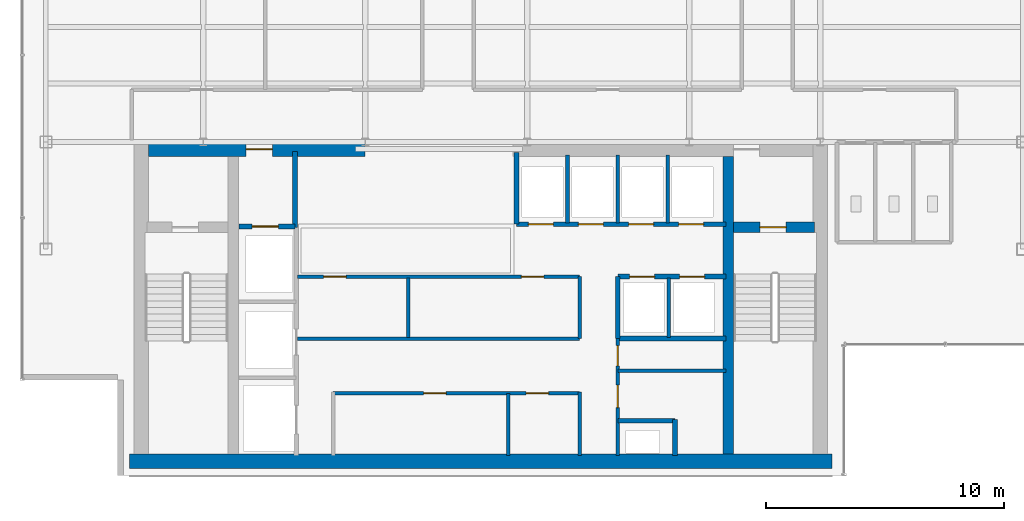
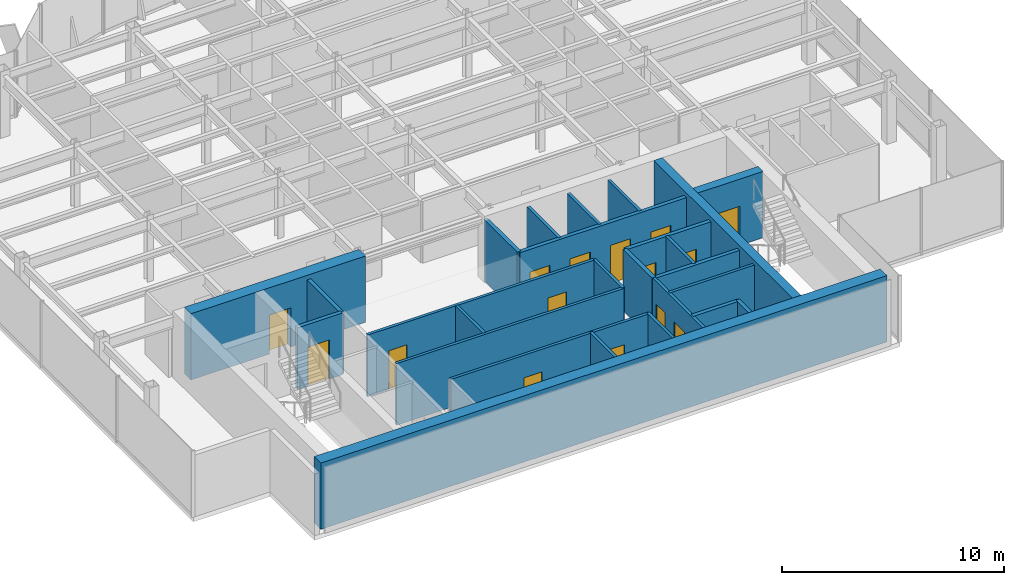
# One storey, part 17 of 22: 26 walls, 15 doors, 15 openings.
"""IFC4 building model written with IfcOpenShell, lengths in metres."""

from ifc_helpers import new_model, si_unit, derived_unit, direction, frame, frame_2d, origin, place, context, subcontext, project, spatial, rectangle, extrude, source, transform, mapped, material, layer, layer_set, type_object, element, fill, save


model = new_model("IFC4")

# Units and contexts
model_context = context("Model", 3, precision=1e-05, world=origin(), true_north=direction((0.0, 1.0)))
body_context = subcontext(model_context, "Body", "Model", "MODEL_VIEW")
ifc_project = project(units=[si_unit("LENGTHUNIT", "METRE"), si_unit("AREAUNIT", "SQUARE_METRE"), si_unit("VOLUMEUNIT", "CUBIC_METRE"), si_unit("PLANEANGLEUNIT", "RADIAN"), si_unit("MASSUNIT", "GRAM", prefix="KILO"), derived_unit("THERMALTRANSMITTANCEUNIT", [(si_unit("POWERUNIT", "WATT"), 1), (si_unit("LENGTHUNIT", "METRE"), -2), (si_unit("THERMODYNAMICTEMPERATUREUNIT", "KELVIN"), -1)])], contexts=[model_context])

# Site, building, storey
site_placement = place(None, origin())
site = spatial("IfcSite", under=ifc_project, at=site_placement, CompositionType="ELEMENT")
building_placement = place(site_placement, origin())
building = spatial("IfcBuilding", under=site, at=building_placement, Name="Skarnbrae Concourse Arena and Tower", CompositionType="ELEMENT")
storey_placement = place(building_placement, frame((0.0, 0.0, 247.85009765625)))
storey = spatial("IfcBuildingStorey", under=building, at=storey_placement, Name="L64", CompositionType="ELEMENT", Elevation=247.85009765625)

# Wall, opening, door
ifc_material_1 = material(Name="Concrete 50 MPa (C50/60)", Category="concrete")
ifc_layer_1 = layer(ifc_material_1, 0.449951171875)
ifc_layer_set_1 = layer_set([ifc_layer_1], Name="Concrete 50 MPa (C50/60)")
wall_type_1 = type_object("IfcWallType", Name="WALL-CORE-450-C50", PredefinedType="SHEAR", material=ifc_layer_set_1)
shared_shape_1 = source(origin(), body_context, "Body", "SweptSolid", [
    extrude(rectangle(XDim=3.389892578125, YDim=0.449951171875, at=frame_2d((1.69482421875, 0.0))), origin(), (0.0, 0.0, 1.0), 3.64990234375),
])
wall_1_placement = place(storey_placement, frame((29.860107421875, 10.419921875, 0.0), z_axis=(0.0, 0.0, 1.0), x_axis=(1.0, 0.0, 0.0)))
wall_1 = element("IfcWall", 1, at=wall_1_placement, inside=storey, type_object=wall_type_1, Name="L64 Rear core shear wall CW-ST2-N", PredefinedType="SHEAR", context=body_context, shape_type="MappedRepresentation", body=[
    mapped(shared_shape_1, transform((0.0, 0.0, 0.0))),
])
opening_1_placement = place(wall_1_placement, frame((1.10009765625, 0.0, 0.0)))
opening_1 = element("IfcOpeningElement", 2, at=opening_1_placement, cuts=wall_1, Name="Opening DT-03", PredefinedType="OPENING", context=body_context, shape_type="SweptSolid", body=[
    extrude(rectangle(XDim=1.10009765625, YDim=2.14990234375, at=frame_2d((0.550048828125, 1.074951171875))), frame((0.0, 0.23486328125, 0.0), z_axis=(0.0, -1.0, 0.0), x_axis=(1.0, 0.0, 0.0)), (0.0, 0.0, 1.0), 0.469970703125),
])
ifc_material_2 = material(Name="Steel CSA G40.21 350W", Category="steel")
door_type_1 = type_object("IfcDoorType", Name="DOOR-FIRE-1100-90M", OperationType="NOTDEFINED", PredefinedType="DOOR", material=ifc_material_2)
shared_shape_2 = source(origin(), body_context, "Body", "SweptSolid", [
    extrude(rectangle(XDim=1.10009765625, YDim=2.14990234375, at=frame_2d((0.550048828125, 1.074951171875))), frame((0.0, 0.02490234375, 0.0), z_axis=(0.0, -1.0, 0.0), x_axis=(1.0, 0.0, 0.0)), (0.0, 0.0, 1.0), 0.050048828125),
])
door_1_placement = place(opening_1_placement, frame((1.10009765625, 0.0, 0.0), z_axis=(0.0, 0.0, 1.0), x_axis=(-1.0, 0.0, 0.0)))
door_1 = element("IfcDoor", 3, at=door_1_placement, inside=storey, type_object=door_type_1, Name="D-1923 Stair ST-2 Door", OperationType="SINGLE_SWING_RIGHT", OverallHeight=2.14990234375, OverallWidth=1.10009765625, PredefinedType="DOOR", context=body_context, shape_type="MappedRepresentation", body=[
    mapped(shared_shape_2, transform((0.0, 0.0, 0.0))),
])
fill(opening_1, door_1)

# Wall
ifc_layer_2 = layer(ifc_material_1, 0.60009765625)
ifc_layer_set_2 = layer_set([ifc_layer_2], Name="Concrete 50 MPa (C50/60)")
wall_type_2 = type_object("IfcWallType", Name="WALL-CORE-600-C50", PredefinedType="SHEAR", material=ifc_layer_set_2)
shared_shape_3 = source(origin(), body_context, "Body", "SweptSolid", [
    extrude(rectangle(XDim=29.5, YDim=0.60009765625, at=frame_2d((14.75, 0.0))), origin(), (0.0, 0.0, 1.0), 3.64990234375),
])
wall_2_placement = place(storey_placement, frame((4.5, 0.60009765625, 0.0), z_axis=(0.0, 0.0, 1.0), x_axis=(1.0, 0.0, 0.0)))
element("IfcWall", 4, at=wall_2_placement, inside=storey, type_object=wall_type_2, Name="L64 Rear core shear wall CW-S", PredefinedType="SHEAR", context=body_context, shape_type="MappedRepresentation", body=[
    mapped(shared_shape_3, transform((0.0, 0.0, 0.0))),
])

# Wall, opening, door
shared_shape_4 = source(origin(), body_context, "Body", "SweptSolid", [
    extrude(rectangle(XDim=9.099853515625, YDim=0.60009765625, at=frame_2d((4.5498046875, 0.0))), origin(), (0.0, 0.0, 1.0), 3.64990234375),
])
wall_3_placement = place(storey_placement, frame((5.300048828125, 13.699951171875, 0.0), z_axis=(0.0, 0.0, 1.0), x_axis=(1.0, 0.0, 0.0)))
wall_3 = element("IfcWall", 5, at=wall_3_placement, inside=storey, type_object=wall_type_2, Name="L64 Rear core shear wall CW-NW", PredefinedType="SHEAR", context=body_context, shape_type="MappedRepresentation", body=[
    mapped(shared_shape_4, transform((0.0, 0.0, 0.0))),
])
opening_2_placement = place(wall_3_placement, frame((4.10009765625, 0.0, 0.0)))
opening_2 = element("IfcOpeningElement", 6, at=opening_2_placement, cuts=wall_3, Name="Opening DT-03", PredefinedType="OPENING", context=body_context, shape_type="SweptSolid", body=[
    extrude(rectangle(XDim=1.10009765625, YDim=2.14990234375, at=frame_2d((0.550048828125, 1.074951171875))), frame((0.0, 0.31005859375, 0.0), z_axis=(0.0, -1.0, 0.0), x_axis=(1.0, 0.0, 0.0)), (0.0, 0.0, 1.0), 0.6201171875),
])
door_2_placement = place(opening_2_placement, origin())
door_2 = element("IfcDoor", 7, at=door_2_placement, inside=storey, type_object=door_type_1, Name="D-1924 Firefighting Lobby Exit Door", OperationType="SINGLE_SWING_RIGHT", OverallHeight=2.14990234375, OverallWidth=1.10009765625, PredefinedType="DOOR", context=body_context, shape_type="MappedRepresentation", body=[
    mapped(shared_shape_2, transform((0.0, 0.0, 0.0))),
])
fill(opening_2, door_2)

# Walls
shared_shape_5 = source(origin(), body_context, "Body", "SweptSolid", [
    extrude(rectangle(XDim=12.5, YDim=0.449951171875, at=frame_2d((6.25, 0.0))), origin(), (0.0, 0.0, 1.0), 3.64990234375),
])
wall_4_placement = place(storey_placement, frame((29.635009765625, 0.89990234375, 0.0), z_axis=(0.0, 0.0, 1.0), x_axis=(0.0, 1.0, 0.0)))
element("IfcWall", 8, at=wall_4_placement, inside=storey, type_object=wall_type_1, Name="L64 Rear core shear wall CW-WEB-E", PredefinedType="SHEAR", context=body_context, shape_type="MappedRepresentation", body=[
    mapped(shared_shape_5, transform((0.0, 0.0, 0.0))),
])
ifc_material_3 = material(Name="Gypsum board on cold-formed steel studs", Category="steel")
ifc_layer_3 = layer(ifc_material_3, 0.199951171875)
ifc_layer_set_3 = layer_set([ifc_layer_3], Name="Gypsum board on cold-formed steel studs")
wall_type_3 = type_object("IfcWallType", Name="WALL-PART-200-2HR", PredefinedType="PARTITIONING", material=ifc_layer_set_3)
shared_shape_6 = source(origin(), body_context, "Body", "SweptSolid", [
    extrude(rectangle(XDim=3.18017578125, YDim=0.199951171875, at=frame_2d((1.590087890625, 0.0))), origin(), (0.0, 0.0, 1.0), 3.39990234375),
])
wall_5_placement = place(storey_placement, frame((11.449951171875, 10.419921875, 0.0), z_axis=(0.0, 0.0, 1.0), x_axis=(0.0, 1.0, 0.0)))
element("IfcWall", 9, at=wall_5_placement, inside=storey, type_object=wall_type_3, Name="L64 Interior partition wall W-L64-FFL-E", PredefinedType="PARTITIONING", context=body_context, shape_type="MappedRepresentation", body=[
    mapped(shared_shape_6, transform((0.0, 0.0, 0.0))),
])

# Wall, opening, door
shared_shape_7 = source(origin(), body_context, "Body", "SweptSolid", [
    extrude(rectangle(XDim=2.349853515625, YDim=0.199951171875, at=frame_2d((1.1748046875, 0.0))), origin(), (0.0, 0.0, 1.0), 3.39990234375),
])
wall_6_placement = place(storey_placement, frame((9.10009765625, 10.449951171875, 0.0), z_axis=(0.0, 0.0, 1.0), x_axis=(1.0, 0.0, 0.0)))
wall_6 = element("IfcWall", 10, at=wall_6_placement, inside=storey, type_object=wall_type_3, Name="L64 Interior partition wall W-L64-FL1-N", PredefinedType="PARTITIONING", context=body_context, shape_type="MappedRepresentation", body=[
    mapped(shared_shape_7, transform((0.0, 0.0, 0.0))),
])
opening_3_placement = place(wall_6_placement, frame((0.550048828125, 0.0, 0.0)))
opening_3 = element("IfcOpeningElement", 11, at=opening_3_placement, cuts=wall_6, Name="Opening LD-01", PredefinedType="OPENING", context=body_context, shape_type="SweptSolid", body=[
    extrude(rectangle(XDim=1.10009765625, YDim=2.14990234375, at=frame_2d((0.550048828125, 1.074951171875))), frame((0.0, 0.10986328125, 0.0), z_axis=(0.0, -1.0, 0.0), x_axis=(1.0, 0.0, 0.0)), (0.0, 0.0, 1.0), 0.219970703125),
])
door_type_2 = type_object("IfcDoorType", Name="DOOR-LIFT-SLIDE-1100", OperationType="SLIDING_TO_LEFT", PredefinedType="DOOR", material=ifc_material_2)
door_3_placement = place(opening_3_placement, origin())
door_3 = element("IfcDoor", 12, at=door_3_placement, inside=storey, type_object=door_type_2, Name="D-1926 Firefighting Lift Landing Door FL-01", OperationType="SLIDING_TO_LEFT", OverallHeight=2.14990234375, OverallWidth=1.10009765625, PredefinedType="DOOR", context=body_context, shape_type="MappedRepresentation", body=[
    mapped(shared_shape_2, transform((0.0, 0.0, 0.0))),
])
fill(opening_3, door_3)

# Walls
ifc_layer_4 = layer(ifc_material_3, 0.14990234375)
ifc_layer_set_4 = layer_set([ifc_layer_4], Name="Gypsum board on cold-formed steel studs")
wall_type_4 = type_object("IfcWallType", Name="WALL-PART-150", PredefinedType="PARTITIONING", material=ifc_layer_set_4)
shared_shape_8 = source(origin(), body_context, "Body", "SweptSolid", [
    extrude(rectangle(XDim=2.599853515625, YDim=0.14990234375, at=frame_2d((1.2998046875, 0.0))), origin(), (0.0, 0.0, 1.0), 3.39990234375),
])
wall_7_placement = place(storey_placement, frame((20.39990234375, 0.85009765625, 0.0), z_axis=(0.0, 0.0, 1.0), x_axis=(0.0, 1.0, 0.0)))
element("IfcWall", 13, at=wall_7_placement, inside=storey, type_object=wall_type_4, Name="L64 Interior partition wall W-L64-B1M-C1", PredefinedType="PARTITIONING", context=body_context, shape_type="MappedRepresentation", body=[
    mapped(shared_shape_8, transform((0.0, 0.0, 0.0))),
])
shared_shape_9 = source(origin(), body_context, "Body", "SweptSolid", [
    extrude(rectangle(XDim=2.60009765625, YDim=0.199951171875, at=frame_2d((1.300048828125, 0.0))), origin(), (0.0, 0.0, 1.0), 3.39990234375),
])
wall_8_placement = place(storey_placement, frame((25.0, 5.75, 0.0), z_axis=(0.0, 0.0, 1.0), x_axis=(0.0, 1.0, 0.0)))
element("IfcWall", 14, at=wall_8_placement, inside=storey, type_object=wall_type_3, Name="L64 Interior partition wall W-L64-B3S-W", PredefinedType="PARTITIONING", context=body_context, shape_type="MappedRepresentation", body=[
    mapped(shared_shape_9, transform((0.0, 0.0, 0.0))),
])
shared_shape_10 = source(origin(), body_context, "Body", "SweptSolid", [
    extrude(rectangle(XDim=2.5, YDim=0.14990234375, at=frame_2d((1.25, 0.0))), origin(), (0.0, 0.0, 1.0), 3.39990234375),
])
for number, where, z_axis, x_axis, name in (
    (15, (16.199951171875, 5.800048828125, 0.0), (0.0, 0.0, 1.0), (0.0, 1.0, 0.0), "L64 Interior partition wall W-L64-B2M-MID"),
    (16, (27.139892578125, 5.800048828125, 0.0), (0.0, 0.0, 1.0), (0.0, 1.0, 0.0), "L64 Interior partition wall W-L64-B3S-P1"),
):
    element("IfcWall", number, at=place(storey_placement, frame(where, z_axis=z_axis, x_axis=x_axis)), inside=storey, type_object=wall_type_4, Name=name, PredefinedType="PARTITIONING", context=body_context, shape_type="MappedRepresentation", body=[
        mapped(shared_shape_10, transform((0.0, 0.0, 0.0))),
    ])

# Wall, openings, doors
shared_shape_11 = source(origin(), body_context, "Body", "SweptSolid", [
    extrude(rectangle(XDim=8.800048828125, YDim=0.199951171875, at=frame_2d((4.39990234375, 0.0))), origin(), (0.0, 0.0, 1.0), 3.39990234375),
])
wall_9_placement = place(storey_placement, frame((20.75, 10.550048828125, 0.0), z_axis=(0.0, 0.0, 1.0), x_axis=(1.0, 0.0, 0.0)))
wall_9 = element("IfcWall", 17, at=wall_9_placement, inside=storey, type_object=wall_type_3, Name="L64 Interior partition wall W-L64-B3N-S", PredefinedType="PARTITIONING", context=body_context, shape_type="MappedRepresentation", body=[
    mapped(shared_shape_11, transform((0.0, 0.0, 0.0))),
])
opening_4_placement = place(wall_9_placement, frame((0.5, 0.0, 0.0)))
opening_4 = element("IfcOpeningElement", 18, at=opening_4_placement, cuts=wall_9, Name="Opening LD-04", PredefinedType="OPENING", context=body_context, shape_type="SweptSolid", body=[
    extrude(rectangle(XDim=1.050048828125, YDim=2.14990234375, at=frame_2d((0.52490234375, 1.074951171875))), frame((0.0, 0.10986328125, 0.0), z_axis=(0.0, -1.0, 0.0), x_axis=(1.0, 0.0, 0.0)), (0.0, 0.0, 1.0), 0.219970703125),
])
opening_5_placement = place(wall_9_placement, frame((2.60009765625, 0.0, 0.0)))
opening_5 = element("IfcOpeningElement", 19, at=opening_5_placement, cuts=wall_9, Name="Opening LD-04", PredefinedType="OPENING", context=body_context, shape_type="SweptSolid", body=[
    extrude(rectangle(XDim=1.050048828125, YDim=2.14990234375, at=frame_2d((0.52490234375, 1.074951171875))), frame((0.0, 0.10986328125, 0.0), z_axis=(0.0, -1.0, 0.0), x_axis=(1.0, 0.0, 0.0)), (0.0, 0.0, 1.0), 0.219970703125),
])
opening_6_placement = place(wall_9_placement, frame((4.699951171875, 0.0, 0.0)))
opening_6 = element("IfcOpeningElement", 20, at=opening_6_placement, cuts=wall_9, Name="Opening LD-04", PredefinedType="OPENING", context=body_context, shape_type="SweptSolid", body=[
    extrude(rectangle(XDim=1.050048828125, YDim=2.14990234375, at=frame_2d((0.52490234375, 1.074951171875))), frame((0.0, 0.10986328125, 0.0), z_axis=(0.0, -1.0, 0.0), x_axis=(1.0, 0.0, 0.0)), (0.0, 0.0, 1.0), 0.219970703125),
])
opening_7_placement = place(wall_9_placement, frame((6.800048828125, 0.0, 0.0)))
opening_7 = element("IfcOpeningElement", 21, at=opening_7_placement, cuts=wall_9, Name="Opening LD-04", PredefinedType="OPENING", context=body_context, shape_type="SweptSolid", body=[
    extrude(rectangle(XDim=1.050048828125, YDim=2.14990234375, at=frame_2d((0.52490234375, 1.074951171875))), frame((0.0, 0.10986328125, 0.0), z_axis=(0.0, -1.0, 0.0), x_axis=(1.0, 0.0, 0.0)), (0.0, 0.0, 1.0), 0.219970703125),
])
ifc_material_4 = material(Name="Bronze anodised aluminium 6063-T6", Category="aluminium")
door_type_3 = type_object("IfcDoorType", Name="DOOR-LIFT-SLIDE-1050H", OperationType="SLIDING_TO_LEFT", PredefinedType="DOOR", material=ifc_material_4)
shared_shape_12 = source(origin(), body_context, "Body", "SweptSolid", [
    extrude(rectangle(XDim=1.050048828125, YDim=2.14990234375, at=frame_2d((0.52490234375, 1.074951171875))), frame((0.0, 0.02490234375, 0.0), z_axis=(0.0, -1.0, 0.0), x_axis=(1.0, 0.0, 0.0)), (0.0, 0.0, 1.0), 0.050048828125),
])
door_4_placement = place(opening_4_placement, frame((1.050048828125, 0.0, 0.0), z_axis=(0.0, 0.0, 1.0), x_axis=(-1.0, 0.0, 0.0)))
door_4 = element("IfcDoor", 22, at=door_4_placement, inside=storey, type_object=door_type_3, Name="D-1933 Passenger Lift Landing Door PL-3A", OperationType="SLIDING_TO_LEFT", OverallHeight=2.14990234375, OverallWidth=1.050048828125, PredefinedType="DOOR", context=body_context, shape_type="MappedRepresentation", body=[
    mapped(shared_shape_12, transform((0.0, 0.0, 0.0))),
])
fill(opening_4, door_4)
door_5_placement = place(opening_5_placement, frame((1.050048828125, 0.0, 0.0), z_axis=(0.0, 0.0, 1.0), x_axis=(-1.0, 0.0, 0.0)))
door_5 = element("IfcDoor", 23, at=door_5_placement, inside=storey, type_object=door_type_3, Name="D-1934 Passenger Lift Landing Door PL-3B", OperationType="SLIDING_TO_LEFT", OverallHeight=2.14990234375, OverallWidth=1.050048828125, PredefinedType="DOOR", context=body_context, shape_type="MappedRepresentation", body=[
    mapped(shared_shape_12, transform((0.0, 0.0, 0.0))),
])
fill(opening_5, door_5)
door_6_placement = place(opening_6_placement, frame((1.050048828125, 0.0, 0.0), z_axis=(0.0, 0.0, 1.0), x_axis=(-1.0, 0.0, 0.0)))
door_6 = element("IfcDoor", 24, at=door_6_placement, inside=storey, type_object=door_type_3, Name="D-1935 Passenger Lift Landing Door PL-3C", OperationType="SLIDING_TO_LEFT", OverallHeight=2.14990234375, OverallWidth=1.050048828125, PredefinedType="DOOR", context=body_context, shape_type="MappedRepresentation", body=[
    mapped(shared_shape_12, transform((0.0, 0.0, 0.0))),
])
fill(opening_6, door_6)
door_7_placement = place(opening_7_placement, frame((1.050048828125, 0.0, 0.0), z_axis=(0.0, 0.0, 1.0), x_axis=(-1.0, 0.0, 0.0)))
door_7 = element("IfcDoor", 25, at=door_7_placement, inside=storey, type_object=door_type_3, Name="D-1936 Passenger Lift Landing Door PL-3D", OperationType="SLIDING_TO_LEFT", OverallHeight=2.14990234375, OverallWidth=1.050048828125, PredefinedType="DOOR", context=body_context, shape_type="MappedRepresentation", body=[
    mapped(shared_shape_12, transform((0.0, 0.0, 0.0))),
])
fill(opening_7, door_7)

# Walls
shared_shape_13 = source(origin(), body_context, "Body", "SweptSolid", [
    extrude(rectangle(XDim=3.0, YDim=0.199951171875, at=frame_2d((1.5, 0.0))), origin(), (0.0, 0.0, 1.0), 3.39990234375),
])
wall_10_placement = place(storey_placement, frame((20.75, 10.550048828125, 0.0), z_axis=(0.0, 0.0, 1.0), x_axis=(0.0, 1.0, 0.0)))
element("IfcWall", 26, at=wall_10_placement, inside=storey, type_object=wall_type_3, Name="L64 Interior partition wall W-L64-B3N-W", PredefinedType="PARTITIONING", context=body_context, shape_type="MappedRepresentation", body=[
    mapped(shared_shape_13, transform((0.0, 0.0, 0.0))),
])
shared_shape_14 = source(origin(), body_context, "Body", "SweptSolid", [
    extrude(rectangle(XDim=2.849853515625, YDim=0.14990234375, at=frame_2d((1.4248046875, 0.0))), origin(), (0.0, 0.0, 1.0), 3.39990234375),
])
for number, where, z_axis, x_axis, name in (
    (27, (22.889892578125, 10.60009765625, 0.0), (0.0, 0.0, 1.0), (0.0, 1.0, 0.0), "L64 Interior partition wall W-L64-B3N-P1"),
    (28, (24.989990234375, 10.60009765625, 0.0), (0.0, 0.0, 1.0), (0.0, 1.0, 0.0), "L64 Interior partition wall W-L64-B3N-P2"),
    (29, (27.090087890625, 10.60009765625, 0.0), (0.0, 0.0, 1.0), (0.0, 1.0, 0.0), "L64 Interior partition wall W-L64-B3N-P3"),
):
    element("IfcWall", number, at=place(storey_placement, frame(where, z_axis=z_axis, x_axis=x_axis)), inside=storey, type_object=wall_type_4, Name=name, PredefinedType="PARTITIONING", context=body_context, shape_type="MappedRepresentation", body=[
        mapped(shared_shape_14, transform((0.0, 0.0, 0.0))),
    ])

# Wall, openings, doors
shared_shape_15 = source(origin(), body_context, "Body", "SweptSolid", [
    extrude(rectangle(XDim=4.550048828125, YDim=0.199951171875, at=frame_2d((2.27490234375, 0.0))), origin(), (0.0, 0.0, 1.0), 3.39990234375),
])
wall_11_placement = place(storey_placement, frame((25.0, 8.35009765625, 0.0), z_axis=(0.0, 0.0, 1.0), x_axis=(1.0, 0.0, 0.0)))
wall_11 = element("IfcWall", 30, at=wall_11_placement, inside=storey, type_object=wall_type_3, Name="L64 Interior partition wall W-L64-B3S-N", PredefinedType="PARTITIONING", context=body_context, shape_type="MappedRepresentation", body=[
    mapped(shared_shape_15, transform((0.0, 0.0, 0.0))),
])
opening_8_placement = place(wall_11_placement, frame((0.5, 0.0, 0.0)))
opening_8 = element("IfcOpeningElement", 31, at=opening_8_placement, cuts=wall_11, Name="Opening LD-04", PredefinedType="OPENING", context=body_context, shape_type="SweptSolid", body=[
    extrude(rectangle(XDim=1.050048828125, YDim=2.14990234375, at=frame_2d((0.52490234375, 1.074951171875))), frame((0.0, 0.10986328125, 0.0), z_axis=(0.0, -1.0, 0.0), x_axis=(1.0, 0.0, 0.0)), (0.0, 0.0, 1.0), 0.219970703125),
])
opening_9_placement = place(wall_11_placement, frame((2.60009765625, 0.0, 0.0)))
opening_9 = element("IfcOpeningElement", 32, at=opening_9_placement, cuts=wall_11, Name="Opening LD-04", PredefinedType="OPENING", context=body_context, shape_type="SweptSolid", body=[
    extrude(rectangle(XDim=1.050048828125, YDim=2.14990234375, at=frame_2d((0.52490234375, 1.074951171875))), frame((0.0, 0.10986328125, 0.0), z_axis=(0.0, -1.0, 0.0), x_axis=(1.0, 0.0, 0.0)), (0.0, 0.0, 1.0), 0.219970703125),
])
door_8_placement = place(opening_8_placement, origin())
door_8 = element("IfcDoor", 33, at=door_8_placement, inside=storey, type_object=door_type_3, Name="D-1937 Passenger Lift Landing Door PL-3E", OperationType="SLIDING_TO_LEFT", OverallHeight=2.14990234375, OverallWidth=1.050048828125, PredefinedType="DOOR", context=body_context, shape_type="MappedRepresentation", body=[
    mapped(shared_shape_12, transform((0.0, 0.0, 0.0))),
])
fill(opening_8, door_8)
door_9_placement = place(opening_9_placement, origin())
door_9 = element("IfcDoor", 34, at=door_9_placement, inside=storey, type_object=door_type_3, Name="D-1938 Passenger Lift Landing Door PL-3F", OperationType="SLIDING_TO_LEFT", OverallHeight=2.14990234375, OverallWidth=1.050048828125, PredefinedType="DOOR", context=body_context, shape_type="MappedRepresentation", body=[
    mapped(shared_shape_12, transform((0.0, 0.0, 0.0))),
])
fill(opening_9, door_9)

# Wall
wall_12_placement = place(storey_placement, frame((25.0, 5.75, 0.0), z_axis=(0.0, 0.0, 1.0), x_axis=(1.0, 0.0, 0.0)))
element("IfcWall", 35, at=wall_12_placement, inside=storey, type_object=wall_type_3, Name="L64 Interior partition wall W-L64-B3S-S", PredefinedType="PARTITIONING", context=body_context, shape_type="MappedRepresentation", body=[
    mapped(shared_shape_15, transform((0.0, 0.0, 0.0))),
])

# Wall, openings, doors
ifc_layer_5 = layer(ifc_material_3, 0.14990234375)
ifc_layer_set_5 = layer_set([ifc_layer_5], Name="Gypsum board on cold-formed steel studs")
wall_type_5 = type_object("IfcWallType", Name="WALL-PART-150-1HR", PredefinedType="PARTITIONING", material=ifc_layer_set_5)
shared_shape_16 = source(origin(), body_context, "Body", "SweptSolid", [
    extrude(rectangle(XDim=4.89990234375, YDim=0.14990234375, at=frame_2d((2.449951171875, 0.0))), origin(), (0.0, 0.0, 1.0), 3.39990234375),
])
wall_13_placement = place(storey_placement, frame((25.0, 0.85009765625, 0.0), z_axis=(0.0, 0.0, 1.0), x_axis=(0.0, 1.0, 0.0)))
wall_13 = element("IfcWall", 36, at=wall_13_placement, inside=storey, type_object=wall_type_5, Name="L64 Interior partition wall W-L64-CSV-W", PredefinedType="PARTITIONING", context=body_context, shape_type="MappedRepresentation", body=[
    mapped(shared_shape_16, transform((0.0, 0.0, 0.0))),
])
opening_10_placement = place(wall_13_placement, frame((2.0, 0.0, 0.0)))
opening_10 = element("IfcOpeningElement", 37, at=opening_10_placement, cuts=wall_13, Name="Opening DT-04", PredefinedType="OPENING", context=body_context, shape_type="SweptSolid", body=[
    extrude(rectangle(XDim=0.949951171875, YDim=2.14990234375, at=frame_2d((0.47509765625, 1.074951171875))), frame((0.0, 0.0849609375, 0.0), z_axis=(0.0, -1.0, 0.0), x_axis=(1.0, 0.0, 0.0)), (0.0, 0.0, 1.0), 0.169921875),
])
opening_11_placement = place(wall_13_placement, frame((3.75, 0.0, 0.0)))
opening_11 = element("IfcOpeningElement", 38, at=opening_11_placement, cuts=wall_13, Name="Opening DT-08", PredefinedType="OPENING", context=body_context, shape_type="SweptSolid", body=[
    extrude(rectangle(XDim=0.85009765625, YDim=2.14990234375, at=frame_2d((0.425048828125, 1.074951171875))), frame((0.0, 0.0849609375, 0.0), z_axis=(0.0, -1.0, 0.0), x_axis=(1.0, 0.0, 0.0)), (0.0, 0.0, 1.0), 0.169921875),
])
door_type_4 = type_object("IfcDoorType", Name="DOOR-INT-950-45M", OperationType="NOTDEFINED", PredefinedType="DOOR", material=ifc_material_2)
shared_shape_17 = source(origin(), body_context, "Body", "SweptSolid", [
    extrude(rectangle(XDim=0.949951171875, YDim=2.14990234375, at=frame_2d((0.47509765625, 1.074951171875))), frame((0.0, 0.02490234375, 0.0), z_axis=(0.0, -1.0, 0.0), x_axis=(1.0, 0.0, 0.0)), (0.0, 0.0, 1.0), 0.050048828125),
])
door_10_placement = place(opening_10_placement, origin())
door_10 = element("IfcDoor", 39, at=door_10_placement, inside=storey, type_object=door_type_4, Name="D-1939 Telemetry Room Door", OperationType="SINGLE_SWING_LEFT", OverallHeight=2.14990234375, OverallWidth=0.949951171875, PredefinedType="DOOR", context=body_context, shape_type="MappedRepresentation", body=[
    mapped(shared_shape_17, transform((0.0, 0.0, 0.0))),
])
fill(opening_10, door_10)
door_type_5 = type_object("IfcDoorType", Name="DOOR-INT-850-45M", OperationType="NOTDEFINED", PredefinedType="DOOR", material=ifc_material_2)
shared_shape_18 = source(origin(), body_context, "Body", "SweptSolid", [
    extrude(rectangle(XDim=0.85009765625, YDim=2.14990234375, at=frame_2d((0.425048828125, 1.074951171875))), frame((0.0, 0.02490234375, 0.0), z_axis=(0.0, -1.0, 0.0), x_axis=(1.0, 0.0, 0.0)), (0.0, 0.0, 1.0), 0.050048828125),
])
door_11_placement = place(opening_11_placement, origin())
door_11 = element("IfcDoor", 40, at=door_11_placement, inside=storey, type_object=door_type_5, Name="D-1940 Recycling Room Door", OperationType="SINGLE_SWING_RIGHT", OverallHeight=2.14990234375, OverallWidth=0.85009765625, PredefinedType="DOOR", context=body_context, shape_type="MappedRepresentation", body=[
    mapped(shared_shape_18, transform((0.0, 0.0, 0.0))),
])
fill(opening_11, door_11)

# Walls
shared_shape_19 = source(origin(), body_context, "Body", "SweptSolid", [
    extrude(rectangle(XDim=2.39990234375, YDim=0.199951171875, at=frame_2d((1.199951171875, 0.0))), origin(), (0.0, 0.0, 1.0), 3.39990234375),
])
wall_14_placement = place(storey_placement, frame((25.0, 2.300048828125, 0.0), z_axis=(0.0, 0.0, 1.0), x_axis=(1.0, 0.0, 0.0)))
element("IfcWall", 41, at=wall_14_placement, inside=storey, type_object=wall_type_3, Name="L64 Interior partition wall W-L64-MEP-N", PredefinedType="PARTITIONING", context=body_context, shape_type="MappedRepresentation", body=[
    mapped(shared_shape_19, transform((0.0, 0.0, 0.0))),
])
shared_shape_20 = source(origin(), body_context, "Body", "SweptSolid", [
    extrude(rectangle(XDim=1.5, YDim=0.199951171875, at=frame_2d((0.75, 0.0))), origin(), (0.0, 0.0, 1.0), 3.39990234375),
])
wall_15_placement = place(storey_placement, frame((27.39990234375, 0.85009765625, 0.0), z_axis=(0.0, 0.0, 1.0), x_axis=(0.0, 1.0, 0.0)))
element("IfcWall", 42, at=wall_15_placement, inside=storey, type_object=wall_type_3, Name="L64 Interior partition wall W-L64-MEP-E", PredefinedType="PARTITIONING", context=body_context, shape_type="MappedRepresentation", body=[
    mapped(shared_shape_20, transform((0.0, 0.0, 0.0))),
])
shared_shape_21 = source(origin(), body_context, "Body", "SweptSolid", [
    extrude(rectangle(XDim=4.550048828125, YDim=0.14990234375, at=frame_2d((2.27490234375, 0.0))), origin(), (0.0, 0.0, 1.0), 3.39990234375),
])
wall_16_placement = place(storey_placement, frame((25.0, 4.39990234375, 0.0), z_axis=(0.0, 0.0, 1.0), x_axis=(1.0, 0.0, 0.0)))
element("IfcWall", 43, at=wall_16_placement, inside=storey, type_object=wall_type_4, Name="L64 Interior partition wall W-L64-CSV-H", PredefinedType="PARTITIONING", context=body_context, shape_type="MappedRepresentation", body=[
    mapped(shared_shape_21, transform((0.0, 0.0, 0.0))),
])
shared_shape_22 = source(origin(), body_context, "Body", "SweptSolid", [
    extrude(rectangle(XDim=2.64990234375, YDim=0.14990234375, at=frame_2d((1.324951171875, 0.0))), origin(), (0.0, 0.0, 1.0), 3.39990234375),
])
wall_17_placement = place(storey_placement, frame((23.39990234375, 0.85009765625, 0.0), z_axis=(0.0, 0.0, 1.0), x_axis=(0.0, 1.0, 0.0)))
element("IfcWall", 44, at=wall_17_placement, inside=storey, type_object=wall_type_5, Name="L64 Interior partition wall W-L64-B1M-E", PredefinedType="PARTITIONING", context=body_context, shape_type="MappedRepresentation", body=[
    mapped(shared_shape_22, transform((0.0, 0.0, 0.0))),
])

# Wall, openings, doors
shared_shape_23 = source(origin(), body_context, "Body", "SweptSolid", [
    extrude(rectangle(XDim=10.349853515625, YDim=0.14990234375, at=frame_2d((5.1748046875, 0.0))), origin(), (0.0, 0.0, 1.0), 3.39990234375),
])
wall_18_placement = place(storey_placement, frame((13.050048828125, 3.449951171875, 0.0), z_axis=(0.0, 0.0, 1.0), x_axis=(1.0, 0.0, 0.0)))
wall_18 = element("IfcWall", 45, at=wall_18_placement, inside=storey, type_object=wall_type_5, Name="L64 Interior partition wall W-L64-B1M-N", PredefinedType="PARTITIONING", context=body_context, shape_type="MappedRepresentation", body=[
    mapped(shared_shape_23, transform((0.0, 0.0, 0.0))),
])
opening_12_placement = place(wall_18_placement, frame((3.800048828125, 0.0, 0.0)))
opening_12 = element("IfcOpeningElement", 46, at=opening_12_placement, cuts=wall_18, Name="Opening DT-04", PredefinedType="OPENING", context=body_context, shape_type="SweptSolid", body=[
    extrude(rectangle(XDim=0.949951171875, YDim=2.14990234375, at=frame_2d((0.47509765625, 1.074951171875))), frame((0.0, 0.0849609375, 0.0), z_axis=(0.0, -1.0, 0.0), x_axis=(1.0, 0.0, 0.0)), (0.0, 0.0, 1.0), 0.169921875),
])
opening_13_placement = place(wall_18_placement, frame((8.10009765625, 0.0, 0.0)))
opening_13 = element("IfcOpeningElement", 47, at=opening_13_placement, cuts=wall_18, Name="Opening DT-04", PredefinedType="OPENING", context=body_context, shape_type="SweptSolid", body=[
    extrude(rectangle(XDim=0.949951171875, YDim=2.14990234375, at=frame_2d((0.47509765625, 1.074951171875))), frame((0.0, 0.0849609375, 0.0), z_axis=(0.0, -1.0, 0.0), x_axis=(1.0, 0.0, 0.0)), (0.0, 0.0, 1.0), 0.169921875),
])
door_12_placement = place(opening_12_placement, origin())
door_12 = element("IfcDoor", 48, at=door_12_placement, inside=storey, type_object=door_type_4, Name="D-1929 Staff Locker Door", OperationType="SINGLE_SWING_LEFT", OverallHeight=2.14990234375, OverallWidth=0.949951171875, PredefinedType="DOOR", context=body_context, shape_type="MappedRepresentation", body=[
    mapped(shared_shape_17, transform((0.0, 0.0, 0.0))),
])
fill(opening_12, door_12)
door_13_placement = place(opening_13_placement, origin())
door_13 = element("IfcDoor", 49, at=door_13_placement, inside=storey, type_object=door_type_4, Name="D-1930 Janitor Store Door", OperationType="SINGLE_SWING_RIGHT", OverallHeight=2.14990234375, OverallWidth=0.949951171875, PredefinedType="DOOR", context=body_context, shape_type="MappedRepresentation", body=[
    mapped(shared_shape_17, transform((0.0, 0.0, 0.0))),
])
fill(opening_13, door_13)

# Wall
shared_shape_24 = source(origin(), body_context, "Body", "SweptSolid", [
    extrude(rectangle(XDim=11.849853515625, YDim=0.14990234375, at=frame_2d((5.9248046875, 0.0))), origin(), (0.0, 0.0, 1.0), 3.39990234375),
])
wall_19_placement = place(storey_placement, frame((11.550048828125, 5.75, 0.0), z_axis=(0.0, 0.0, 1.0), x_axis=(1.0, 0.0, 0.0)))
element("IfcWall", 50, at=wall_19_placement, inside=storey, type_object=wall_type_5, Name="L64 Interior partition wall W-L64-B2M-S", PredefinedType="PARTITIONING", context=body_context, shape_type="MappedRepresentation", body=[
    mapped(shared_shape_24, transform((0.0, 0.0, 0.0))),
])

# Wall, openings, doors
wall_20_placement = place(storey_placement, frame((11.550048828125, 8.35009765625, 0.0), z_axis=(0.0, 0.0, 1.0), x_axis=(1.0, 0.0, 0.0)))
wall_20 = element("IfcWall", 51, at=wall_20_placement, inside=storey, type_object=wall_type_5, Name="L64 Interior partition wall W-L64-B2M-N", PredefinedType="PARTITIONING", context=body_context, shape_type="MappedRepresentation", body=[
    mapped(shared_shape_24, transform((0.0, 0.0, 0.0))),
])
opening_14_placement = place(wall_20_placement, frame((1.10009765625, 0.0, 0.0)))
opening_14 = element("IfcOpeningElement", 52, at=opening_14_placement, cuts=wall_20, Name="Opening DT-04", PredefinedType="OPENING", context=body_context, shape_type="SweptSolid", body=[
    extrude(rectangle(XDim=0.949951171875, YDim=2.14990234375, at=frame_2d((0.47509765625, 1.074951171875))), frame((0.0, 0.0849609375, 0.0), z_axis=(0.0, -1.0, 0.0), x_axis=(1.0, 0.0, 0.0)), (0.0, 0.0, 1.0), 0.169921875),
])
opening_15_placement = place(wall_20_placement, frame((9.39990234375, 0.0, 0.0)))
opening_15 = element("IfcOpeningElement", 53, at=opening_15_placement, cuts=wall_20, Name="Opening DT-04", PredefinedType="OPENING", context=body_context, shape_type="SweptSolid", body=[
    extrude(rectangle(XDim=0.949951171875, YDim=2.14990234375, at=frame_2d((0.47509765625, 1.074951171875))), frame((0.0, 0.0849609375, 0.0), z_axis=(0.0, -1.0, 0.0), x_axis=(1.0, 0.0, 0.0)), (0.0, 0.0, 1.0), 0.169921875),
])
door_14_placement = place(opening_14_placement, origin())
door_14 = element("IfcDoor", 54, at=door_14_placement, inside=storey, type_object=door_type_4, Name="D-1931 High-Zone Data Door", OperationType="SINGLE_SWING_RIGHT", OverallHeight=2.14990234375, OverallWidth=0.949951171875, PredefinedType="DOOR", context=body_context, shape_type="MappedRepresentation", body=[
    mapped(shared_shape_17, transform((0.0, 0.0, 0.0))),
])
fill(opening_14, door_14)
door_15_placement = place(opening_15_placement, origin())
door_15 = element("IfcDoor", 55, at=door_15_placement, inside=storey, type_object=door_type_4, Name="D-1932 Reprographics Door", OperationType="SINGLE_SWING_LEFT", OverallHeight=2.14990234375, OverallWidth=0.949951171875, PredefinedType="DOOR", context=body_context, shape_type="MappedRepresentation", body=[
    mapped(shared_shape_17, transform((0.0, 0.0, 0.0))),
])
fill(opening_15, door_15)

# Wall
shared_shape_25 = source(origin(), body_context, "Body", "SweptSolid", [
    extrude(rectangle(XDim=2.60009765625, YDim=0.14990234375, at=frame_2d((1.300048828125, 0.0))), origin(), (0.0, 0.0, 1.0), 3.39990234375),
])
wall_21_placement = place(storey_placement, frame((23.39990234375, 5.75, 0.0), z_axis=(0.0, 0.0, 1.0), x_axis=(0.0, 1.0, 0.0)))
element("IfcWall", 56, at=wall_21_placement, inside=storey, type_object=wall_type_5, Name="L64 Interior partition wall W-L64-B2M-E", PredefinedType="PARTITIONING", context=body_context, shape_type="MappedRepresentation", body=[
    mapped(shared_shape_25, transform((0.0, 0.0, 0.0))),
])

save(model, "model.ifc")
